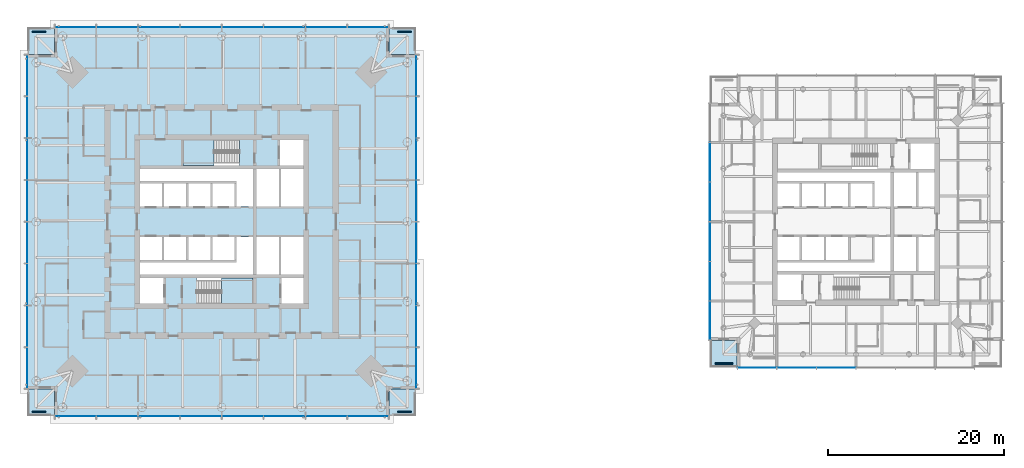
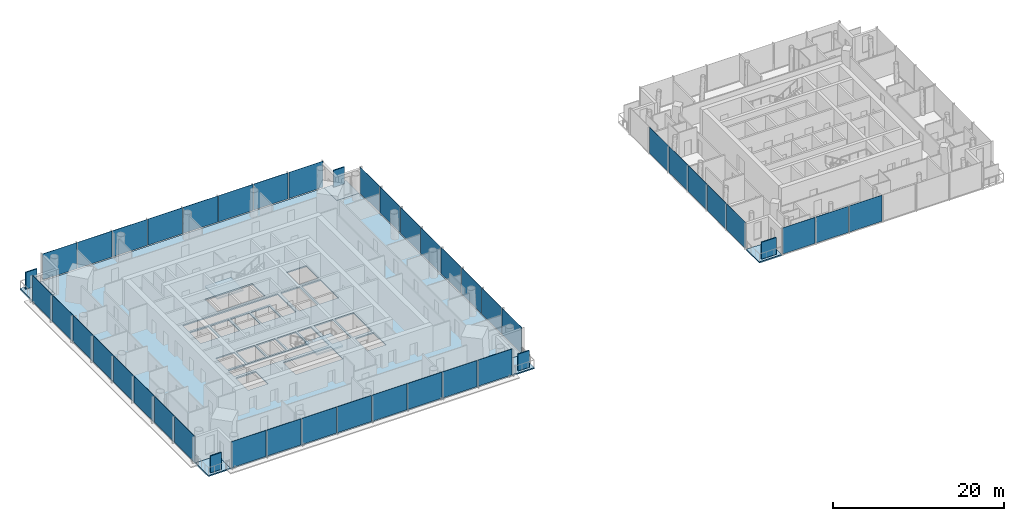
# One storey, part 6 of 27: 45 plates, 8 slabs, 8 elements without a shape of their own.
"""IFC4 building model written with IfcOpenShell, lengths in metres."""

from ifc_helpers import new_model, si_unit, direction, frame, origin, origin_2d, place, context, subcontext, project, spatial, polyline, rectangle, outline, extrude, material, layer, layer_set, type_object, element, aggregate, save


model = new_model("IFC4")

# Units and contexts
model_context = context("Model", 3, precision=1e-05, world=origin(), true_north=direction((0.0, 1.0)))
body_context = subcontext(model_context, "Body", "Model", "MODEL_VIEW")
ifc_project = project(units=[si_unit("LENGTHUNIT", "METRE"), si_unit("AREAUNIT", "SQUARE_METRE"), si_unit("VOLUMEUNIT", "CUBIC_METRE"), si_unit("PLANEANGLEUNIT", "RADIAN"), si_unit("MASSUNIT", "GRAM", prefix="KILO")], contexts=[model_context])

# Site, building, storey
site_placement = place(None, origin())
site = spatial("IfcSite", under=ifc_project, at=site_placement, CompositionType="ELEMENT")
building_placement = place(site_placement, origin())
building = spatial("IfcBuilding", under=site, at=building_placement, Name="Ostroluk Exchange", CompositionType="ELEMENT")
storey_placement = place(building_placement, frame((0.0, 0.0, 112.199951171875)))
storey = spatial("IfcBuildingStorey", under=building, at=storey_placement, Name="L28", CompositionType="ELEMENT", Elevation=112.199951171875)

# Curtain wall, plates
ifc_material_1 = material(Name="Laminated clear glass", Category="glass")
curtain_wall_type_1 = type_object("IfcCurtainWallType", Name="Hotel guest floor facade", PredefinedType="USERDEFINED", material=ifc_material_1)
curtain_wall_1_placement = place(storey_placement, origin())
curtain_wall_1 = element("IfcCurtainWall", 1, at=curtain_wall_1_placement, inside=storey, type_object=curtain_wall_type_1, Name="Hotel tower south facade L28", ObjectType="UNITISED CURTAIN WALL", PredefinedType="USERDEFINED")
ifc_material_2 = material(Name="Laminated clear glass", Category="glass")
ifc_layer_1 = layer(ifc_material_2, 0.0400390625)
ifc_layer_set_1 = layer_set([ifc_layer_1], Name="Acoustic laminated glazing 40")
plate_type_1 = type_object("IfcPlateType", Name="Acoustic laminated glazing 40", PredefinedType="CURTAIN_PANEL", material=ifc_layer_set_1)
plate_1_placement = place(storey_placement, frame((105.77001953125, 29.425048828125, 0.080078125), z_axis=(0.0, 0.0, 1.0), x_axis=(1.0, 0.0, 0.0)))
plate_1 = element("IfcPlate", 2, at=plate_1_placement, type_object=plate_type_1, Name="CW-H1 panel 1.1", PredefinedType="CURTAIN_PANEL", context=body_context, shape_type="SweptSolid", body=[
    extrude(rectangle(XDim=4.3798828125, YDim=0.0400390625, at=origin_2d()), origin(), (0.0, 0.0, 1.0), 3.719970703125),
])
plate_2_placement = place(storey_placement, frame((110.25, 29.425048828125, 0.080078125), z_axis=(0.0, 0.0, 1.0), x_axis=(1.0, 0.0, 0.0)))
plate_2 = element("IfcPlate", 3, at=plate_2_placement, type_object=plate_type_1, Name="CW-H1 panel 2.1", PredefinedType="CURTAIN_PANEL", context=body_context, shape_type="SweptSolid", body=[
    extrude(rectangle(XDim=4.419921875, YDim=0.0400390625, at=origin_2d()), origin(), (0.0, 0.0, 1.0), 3.719970703125),
])
plate_3_placement = place(storey_placement, frame((114.75, 29.425048828125, 0.080078125), z_axis=(0.0, 0.0, 1.0), x_axis=(1.0, 0.0, 0.0)))
plate_3 = element("IfcPlate", 4, at=plate_3_placement, type_object=plate_type_1, Name="CW-H1 panel 3.1", PredefinedType="CURTAIN_PANEL", context=body_context, shape_type="SweptSolid", body=[
    extrude(rectangle(XDim=4.419921875, YDim=0.0400390625, at=origin_2d()), origin(), (0.0, 0.0, 1.0), 3.719970703125),
])
aggregate(curtain_wall_1, [plate_1, plate_2, plate_3])

curtain_wall_2_placement = place(storey_placement, origin())
curtain_wall_2 = element("IfcCurtainWall", 5, at=curtain_wall_2_placement, inside=storey, type_object=curtain_wall_type_1, Name="Hotel tower west facade L28", ObjectType="UNITISED CURTAIN WALL", PredefinedType="USERDEFINED")
plate_4_placement = place(storey_placement, frame((100.425048828125, 52.75, 0.080078125), z_axis=(0.0, 0.0, 1.0), x_axis=(0.0, -1.0, 0.0)))
plate_4 = element("IfcPlate", 6, at=plate_4_placement, type_object=plate_type_1, Name="CW-H1 panel 2.1", PredefinedType="CURTAIN_PANEL", context=body_context, shape_type="SweptSolid", body=[
    extrude(rectangle(XDim=4.419921875, YDim=0.0400390625, at=origin_2d()), origin(), (0.0, 0.0, 1.0), 3.719970703125),
])
plate_5_placement = place(storey_placement, frame((100.425048828125, 48.25, 0.080078125), z_axis=(0.0, 0.0, 1.0), x_axis=(0.0, -1.0, 0.0)))
plate_5 = element("IfcPlate", 7, at=plate_5_placement, type_object=plate_type_1, Name="CW-H1 panel 3.1", PredefinedType="CURTAIN_PANEL", context=body_context, shape_type="SweptSolid", body=[
    extrude(rectangle(XDim=4.419921875, YDim=0.0400390625, at=origin_2d()), origin(), (0.0, 0.0, 1.0), 3.719970703125),
])
plate_6_placement = place(storey_placement, frame((100.425048828125, 43.75, 0.080078125), z_axis=(0.0, 0.0, 1.0), x_axis=(0.0, -1.0, 0.0)))
plate_6 = element("IfcPlate", 8, at=plate_6_placement, type_object=plate_type_1, Name="CW-H1 panel 4.1", PredefinedType="CURTAIN_PANEL", context=body_context, shape_type="SweptSolid", body=[
    extrude(rectangle(XDim=4.419921875, YDim=0.0400390625, at=origin_2d()), origin(), (0.0, 0.0, 1.0), 3.719970703125),
])
plate_7_placement = place(storey_placement, frame((100.425048828125, 39.25, 0.080078125), z_axis=(0.0, 0.0, 1.0), x_axis=(0.0, -1.0, 0.0)))
plate_7 = element("IfcPlate", 9, at=plate_7_placement, type_object=plate_type_1, Name="CW-H1 panel 5.1", PredefinedType="CURTAIN_PANEL", context=body_context, shape_type="SweptSolid", body=[
    extrude(rectangle(XDim=4.419921875, YDim=0.0400390625, at=origin_2d()), origin(), (0.0, 0.0, 1.0), 3.719970703125),
])
plate_8_placement = place(storey_placement, frame((100.425048828125, 34.77001953125, 0.080078125), z_axis=(0.0, 0.0, 1.0), x_axis=(0.0, -1.0, 0.0)))
plate_8 = element("IfcPlate", 10, at=plate_8_placement, type_object=plate_type_1, Name="CW-H1 panel 6.1", PredefinedType="CURTAIN_PANEL", context=body_context, shape_type="SweptSolid", body=[
    extrude(rectangle(XDim=4.3798828125, YDim=0.0400390625, at=origin_2d()), origin(), (0.0, 0.0, 1.0), 3.719970703125),
])
aggregate(curtain_wall_2, [plate_4, plate_5, plate_6, plate_7, plate_8])

# Slabs
ifc_material_3 = material(Name="Concrete C35/45", Category="concrete")
ifc_layer_2 = layer(ifc_material_3, 0.179931640625)
ifc_layer_set_2 = layer_set([ifc_layer_2], Name="Balcony slab 180")
slab_type_1 = type_object("IfcSlabType", Name="Balcony slab 180", PredefinedType="USERDEFINED", material=ifc_layer_set_2)
slab_1_placement = place(storey_placement, frame((0.0, 0.0, -0.179931640625)))
element("IfcSlab", 11, at=slab_1_placement, inside=storey, type_object=slab_type_1, Name="Office tower SE corner balcony L28", ObjectType="BALCONY", PredefinedType="USERDEFINED", context=body_context, shape_type="SweptSolid", body=[
    extrude(outline(polyline([(64.0, 24.0), (67.0, 24.0), (67.0, 27.0), (64.0, 27.0), (64.0, 24.0)])), origin(), (0.0, 0.0, 1.0), 0.179931640625),
])
slab_2_placement = place(storey_placement, frame((0.0, 0.0, -0.179931640625)))
element("IfcSlab", 12, at=slab_2_placement, inside=storey, type_object=slab_type_1, Name="Office tower NE corner balcony L28", ObjectType="BALCONY", PredefinedType="USERDEFINED", context=body_context, shape_type="SweptSolid", body=[
    extrude(outline(polyline([(64.0, 65.0), (67.0, 65.0), (67.0, 68.0), (64.0, 68.0), (64.0, 65.0)])), origin(), (0.0, 0.0, 1.0), 0.179931640625),
])
slab_3_placement = place(storey_placement, frame((0.0, 0.0, -0.179931640625)))
element("IfcSlab", 13, at=slab_3_placement, inside=storey, type_object=slab_type_1, Name="Office tower NW corner balcony L28", ObjectType="BALCONY", PredefinedType="USERDEFINED", context=body_context, shape_type="SweptSolid", body=[
    extrude(outline(polyline([(23.0, 65.0), (26.0, 65.0), (26.0, 68.0), (23.0, 68.0), (23.0, 65.0)])), origin(), (0.0, 0.0, 1.0), 0.179931640625),
])
slab_4_placement = place(storey_placement, frame((0.0, 0.0, -0.179931640625)))
element("IfcSlab", 14, at=slab_4_placement, inside=storey, type_object=slab_type_1, Name="Office tower SW corner balcony L28", ObjectType="BALCONY", PredefinedType="USERDEFINED", context=body_context, shape_type="SweptSolid", body=[
    extrude(outline(polyline([(23.0, 24.0), (26.0, 24.0), (26.0, 27.0), (23.0, 27.0), (23.0, 24.0)])), origin(), (0.0, 0.0, 1.0), 0.179931640625),
])
ifc_material_4 = material(Name="Concrete C35/45", Category="concrete")
ifc_layer_3 = layer(ifc_material_4, 0.199951171875)
ifc_layer_set_3 = layer_set([ifc_layer_3], Name="Balcony slab 200")
slab_type_2 = type_object("IfcSlabType", Name="Balcony slab 200", PredefinedType="USERDEFINED", material=ifc_layer_set_3)
slab_5_placement = place(storey_placement, frame((0.0, 0.0, -0.199951171875)))
element("IfcSlab", 15, at=slab_5_placement, inside=storey, type_object=slab_type_2, Name="Hotel tower SW corner balcony L28", ObjectType="BALCONY", PredefinedType="USERDEFINED", context=body_context, shape_type="SweptSolid", body=[
    extrude(outline(polyline([(100.5, 29.5), (103.5, 29.5), (103.5, 32.5), (100.5, 32.5), (100.5, 29.5)])), origin(), (0.0, 0.0, 1.0), 0.199951171875),
])

# Plates
ifc_material_5 = material(Name="Steel S355 trellis with planting", Category="steel")
ifc_layer_4 = layer(ifc_material_5, 0.14990234375)
ifc_layer_set_4 = layer_set([ifc_layer_4], Name="Planted screen 150")
plate_type_2 = type_object("IfcPlateType", Name="Planted screen 150", PredefinedType="USERDEFINED", material=ifc_layer_set_4)
for number, where, z_axis, x_axis, name in (
    (16, (65.75, 24.425048828125, 0.0), (0.0, 0.0, 1.0), (1.0, 0.0, 0.0), "Office tower SE planted screen L28"),
    (17, (65.75, 67.574951171875, 0.0), (0.0, 0.0, 1.0), (1.0, 0.0, 0.0), "Office tower NE planted screen L28"),
    (18, (24.25, 67.574951171875, 0.0), (0.0, 0.0, 1.0), (1.0, 0.0, 0.0), "Office tower NW planted screen L28"),
    (19, (24.25, 24.425048828125, 0.0), (0.0, 0.0, 1.0), (1.0, 0.0, 0.0), "Office tower SW planted screen L28"),
):
    element("IfcPlate", number, at=place(storey_placement, frame(where, z_axis=z_axis, x_axis=x_axis)), inside=storey, type_object=plate_type_2, Name=name, ObjectType="PLANTED SCREEN", PredefinedType="USERDEFINED", context=body_context, shape_type="SweptSolid", body=[
        extrude(rectangle(XDim=1.5, YDim=0.14990234375, at=origin_2d()), origin(), (0.0, 0.0, 1.0), 2.39990234375),
    ])
plate_9_placement = place(storey_placement, frame((102.0, 29.925048828125, 0.0), z_axis=(0.0, 0.0, 1.0), x_axis=(1.0, 0.0, 0.0)))
element("IfcPlate", 20, at=plate_9_placement, inside=storey, type_object=plate_type_2, Name="Hotel tower SW planted screen L28", ObjectType="PLANTED SCREEN", PredefinedType="USERDEFINED", context=body_context, shape_type="SweptSolid", body=[
    extrude(rectangle(XDim=2.0, YDim=0.14990234375, at=origin_2d()), origin(), (0.0, 0.0, 1.0), 2.39990234375),
])

# Stair, slab
ifc_material_6 = material(Name="Concrete C30/37", Category="concrete")
stair_type = type_object("IfcStairType", Name="Exit stair half turn 3800", PredefinedType="HALF_TURN_STAIR", material=ifc_material_6)
stair_1_placement = place(storey_placement, origin())
stair_1 = element("IfcStair", 21, at=stair_1_placement, inside=storey, type_object=stair_type, Name="Stair T1-S1 L28", PredefinedType="HALF_TURN_STAIR")
ifc_material_7 = material(Name="Concrete C30/37", Category="concrete")
ifc_layer_5 = layer(ifc_material_7, 0.199951171875)
ifc_layer_set_5 = layer_set([ifc_layer_5], Name="Stair landing 200")
slab_type_3 = type_object("IfcSlabType", Name="Stair landing 200", PredefinedType="LANDING", material=ifc_layer_set_5)
slab_6_placement = place(storey_placement, frame((0.0, 0.0, 1.699951171875)))
slab_6 = element("IfcSlab", 22, at=slab_6_placement, type_object=slab_type_3, Name="T1-S1 landing 1", PredefinedType="LANDING", context=body_context, shape_type="SweptSolid", body=[
    extrude(outline(polyline([(45.0, 36.699951171875), (45.0, 39.60009765625), (48.530029296875, 39.60009765625), (48.530029296875, 36.699951171875), (45.0, 36.699951171875)])), origin(), (0.0, 0.0, 1.0), 0.2001953125),
])
aggregate(stair_1, [slab_6])

stair_2_placement = place(storey_placement, origin())
stair_2 = element("IfcStair", 23, at=stair_2_placement, inside=storey, type_object=stair_type, Name="Stair T1-S2 L28", PredefinedType="HALF_TURN_STAIR")
slab_7_placement = place(storey_placement, frame((0.0, 0.0, 1.699951171875)))
slab_7 = element("IfcSlab", 24, at=slab_7_placement, type_object=slab_type_3, Name="T1-S2 landing 1", PredefinedType="LANDING", context=body_context, shape_type="SweptSolid", body=[
    extrude(outline(polyline([(44.1298828125, 52.39990234375), (44.1298828125, 55.300048828125), (40.60009765625, 55.300048828125), (40.60009765625, 52.39990234375), (44.1298828125, 52.39990234375)])), origin(), (0.0, 0.0, 1.0), 0.2001953125),
])
aggregate(stair_2, [slab_7])

# Slab
ifc_material_8 = material(Name="Concrete C35/45", Category="concrete")
ifc_layer_6 = layer(ifc_material_8, 0.179931640625)
ifc_layer_set_6 = layer_set([ifc_layer_6], Name="Tower floor slab 180 composite")
slab_type_4 = type_object("IfcSlabType", Name="Tower floor slab 180 composite", PredefinedType="FLOOR", material=ifc_layer_set_6)
slab_8_placement = place(storey_placement, frame((0.0, 0.0, -0.179931640625)))
element("IfcSlab", 25, at=slab_8_placement, inside=storey, type_object=slab_type_4, Name="Office tower floor slab L28", PredefinedType="FLOOR", context=body_context, shape_type="SweptSolid", body=[
    extrude(outline(polyline([(26.0, 24.0), (64.0, 24.0), (64.0, 27.0), (67.0, 27.0), (67.0, 65.0), (64.0, 65.0), (64.0, 68.0), (26.0, 68.0), (26.0, 65.0), (23.0, 65.0), (23.0, 27.0), (26.0, 27.0), (26.0, 24.0)]), holes=[polyline([(35.699951171875, 36.699951171875), (38.39990234375, 36.699951171875), (38.39990234375, 39.60009765625), (35.699951171875, 39.60009765625), (35.699951171875, 36.699951171875)]), polyline([(42.110107421875, 36.699951171875), (48.530029296875, 36.699951171875), (48.530029296875, 39.60009765625), (42.110107421875, 39.60009765625), (42.110107421875, 36.699951171875)]), polyline([(51.800048828125, 36.699951171875), (54.300048828125, 36.699951171875), (54.300048828125, 39.60009765625), (51.800048828125, 39.60009765625), (51.800048828125, 36.699951171875)]), polyline([(40.60009765625, 52.39990234375), (47.02001953125, 52.39990234375), (47.02001953125, 55.300048828125), (40.60009765625, 55.300048828125), (40.60009765625, 52.39990234375)]), polyline([(51.60009765625, 52.39990234375), (54.300048828125, 52.39990234375), (54.300048828125, 55.300048828125), (51.60009765625, 55.300048828125), (51.60009765625, 52.39990234375)]), polyline([(35.699951171875, 47.75), (38.199951171875, 47.75), (38.199951171875, 50.35009765625), (35.699951171875, 50.35009765625), (35.699951171875, 47.75)]), polyline([(38.449951171875, 47.75), (40.949951171875, 47.75), (40.949951171875, 50.35009765625), (38.449951171875, 50.35009765625), (38.449951171875, 47.75)]), polyline([(41.199951171875, 47.75), (43.699951171875, 47.75), (43.699951171875, 50.35009765625), (41.199951171875, 50.35009765625), (41.199951171875, 47.75)]), polyline([(43.949951171875, 47.75), (46.449951171875, 47.75), (46.449951171875, 50.35009765625), (43.949951171875, 50.35009765625), (43.949951171875, 47.75)]), polyline([(35.699951171875, 41.64990234375), (38.199951171875, 41.64990234375), (38.199951171875, 44.25), (35.699951171875, 44.25), (35.699951171875, 41.64990234375)]), polyline([(38.449951171875, 41.64990234375), (40.949951171875, 41.64990234375), (40.949951171875, 44.25), (38.449951171875, 44.25), (38.449951171875, 41.64990234375)]), polyline([(41.199951171875, 41.64990234375), (43.699951171875, 41.64990234375), (43.699951171875, 44.25), (41.199951171875, 44.25), (41.199951171875, 41.64990234375)]), polyline([(43.949951171875, 41.64990234375), (46.449951171875, 41.64990234375), (46.449951171875, 44.25), (43.949951171875, 44.25), (43.949951171875, 41.64990234375)]), polyline([(48.929931640625, 47.75), (51.489990234375, 47.75), (51.489990234375, 52.0), (48.929931640625, 52.0), (48.929931640625, 47.75)]), polyline([(51.739990234375, 47.75), (54.300048828125, 47.75), (54.300048828125, 52.0), (51.739990234375, 52.0), (51.739990234375, 47.75)]), polyline([(48.929931640625, 40.0), (51.489990234375, 40.0), (51.489990234375, 44.25), (48.929931640625, 44.25), (48.929931640625, 40.0)]), polyline([(51.739990234375, 40.0), (54.300048828125, 40.0), (54.300048828125, 44.25), (51.739990234375, 44.25), (51.739990234375, 40.0)]), polyline([(48.530029296875, 52.0), (48.530029296875, 47.75), (46.699951171875, 47.75), (46.699951171875, 50.60009765625), (35.699951171875, 50.60009765625), (35.699951171875, 52.0), (48.530029296875, 52.0)]), polyline([(35.699951171875, 40.0), (35.699951171875, 41.39990234375), (46.699951171875, 41.39990234375), (46.699951171875, 44.25), (48.530029296875, 44.25), (48.530029296875, 40.0), (35.699951171875, 40.0)])]), origin(), (0.0, 0.0, 1.0), 0.179931640625),
])

# Curtain wall, plates
ifc_material_9 = material(Name="Laminated clear glass", Category="glass")
curtain_wall_type_2 = type_object("IfcCurtainWallType", Name="Office tower facade", PredefinedType="USERDEFINED", material=ifc_material_9)
curtain_wall_3_placement = place(storey_placement, origin())
curtain_wall_3 = element("IfcCurtainWall", 26, at=curtain_wall_3_placement, inside=storey, type_object=curtain_wall_type_2, Name="Office tower south facade L28", ObjectType="UNITISED CURTAIN WALL", PredefinedType="USERDEFINED")
ifc_material_10 = material(Name="Laminated clear glass", Category="glass")
ifc_layer_7 = layer(ifc_material_10, 0.0439453125)
ifc_layer_set_7 = layer_set([ifc_layer_7], Name="Triple laminated clear glazing 44")
plate_type_3 = type_object("IfcPlateType", Name="Triple laminated clear glazing 44", PredefinedType="CURTAIN_PANEL", material=ifc_layer_set_7)
plate_10_placement = place(storey_placement, frame((28.39501953125, 23.925048828125, 0.080078125), z_axis=(0.0, 0.0, 1.0), x_axis=(1.0, 0.0, 0.0)))
plate_10 = element("IfcPlate", 27, at=plate_10_placement, type_object=plate_type_3, Name="CW-O1 panel 1.1", PredefinedType="CURTAIN_PANEL", context=body_context, shape_type="SweptSolid", body=[
    extrude(rectangle(XDim=4.6298828125, YDim=0.0439453125, at=origin_2d()), origin(), (0.0, 0.0, 1.0), 3.719970703125),
])
plate_11_placement = place(storey_placement, frame((33.125, 23.925048828125, 0.080078125), z_axis=(0.0, 0.0, 1.0), x_axis=(1.0, 0.0, 0.0)))
plate_11 = element("IfcPlate", 28, at=plate_11_placement, type_object=plate_type_3, Name="CW-O1 panel 2.1", PredefinedType="CURTAIN_PANEL", context=body_context, shape_type="SweptSolid", body=[
    extrude(rectangle(XDim=4.669921875, YDim=0.0439453125, at=origin_2d()), origin(), (0.0, 0.0, 1.0), 3.719970703125),
])
plate_12_placement = place(storey_placement, frame((37.875, 23.925048828125, 0.080078125), z_axis=(0.0, 0.0, 1.0), x_axis=(1.0, 0.0, 0.0)))
plate_12 = element("IfcPlate", 29, at=plate_12_placement, type_object=plate_type_3, Name="CW-O1 panel 3.1", PredefinedType="CURTAIN_PANEL", context=body_context, shape_type="SweptSolid", body=[
    extrude(rectangle(XDim=4.669921875, YDim=0.0439453125, at=origin_2d()), origin(), (0.0, 0.0, 1.0), 3.719970703125),
])
plate_13_placement = place(storey_placement, frame((42.625, 23.925048828125, 0.080078125), z_axis=(0.0, 0.0, 1.0), x_axis=(1.0, 0.0, 0.0)))
plate_13 = element("IfcPlate", 30, at=plate_13_placement, type_object=plate_type_3, Name="CW-O1 panel 4.1", PredefinedType="CURTAIN_PANEL", context=body_context, shape_type="SweptSolid", body=[
    extrude(rectangle(XDim=4.669921875, YDim=0.0439453125, at=origin_2d()), origin(), (0.0, 0.0, 1.0), 3.719970703125),
])
plate_14_placement = place(storey_placement, frame((47.375, 23.925048828125, 0.080078125), z_axis=(0.0, 0.0, 1.0), x_axis=(1.0, 0.0, 0.0)))
plate_14 = element("IfcPlate", 31, at=plate_14_placement, type_object=plate_type_3, Name="CW-O1 panel 5.1", PredefinedType="CURTAIN_PANEL", context=body_context, shape_type="SweptSolid", body=[
    extrude(rectangle(XDim=4.669921875, YDim=0.0439453125, at=origin_2d()), origin(), (0.0, 0.0, 1.0), 3.719970703125),
])
plate_15_placement = place(storey_placement, frame((52.125, 23.925048828125, 0.080078125), z_axis=(0.0, 0.0, 1.0), x_axis=(1.0, 0.0, 0.0)))
plate_15 = element("IfcPlate", 32, at=plate_15_placement, type_object=plate_type_3, Name="CW-O1 panel 6.1", PredefinedType="CURTAIN_PANEL", context=body_context, shape_type="SweptSolid", body=[
    extrude(rectangle(XDim=4.669921875, YDim=0.0439453125, at=origin_2d()), origin(), (0.0, 0.0, 1.0), 3.719970703125),
])
plate_16_placement = place(storey_placement, frame((56.875, 23.925048828125, 0.080078125), z_axis=(0.0, 0.0, 1.0), x_axis=(1.0, 0.0, 0.0)))
plate_16 = element("IfcPlate", 33, at=plate_16_placement, type_object=plate_type_3, Name="CW-O1 panel 7.1", PredefinedType="CURTAIN_PANEL", context=body_context, shape_type="SweptSolid", body=[
    extrude(rectangle(XDim=4.669921875, YDim=0.0439453125, at=origin_2d()), origin(), (0.0, 0.0, 1.0), 3.719970703125),
])
plate_17_placement = place(storey_placement, frame((61.60498046875, 23.925048828125, 0.080078125), z_axis=(0.0, 0.0, 1.0), x_axis=(1.0, 0.0, 0.0)))
plate_17 = element("IfcPlate", 34, at=plate_17_placement, type_object=plate_type_3, Name="CW-O1 panel 8.1", PredefinedType="CURTAIN_PANEL", context=body_context, shape_type="SweptSolid", body=[
    extrude(rectangle(XDim=4.6298828125, YDim=0.0439453125, at=origin_2d()), origin(), (0.0, 0.0, 1.0), 3.719970703125),
])
aggregate(curtain_wall_3, [plate_10, plate_11, plate_12, plate_13, plate_14, plate_15, plate_16, plate_17])

curtain_wall_4_placement = place(storey_placement, origin())
curtain_wall_4 = element("IfcCurtainWall", 35, at=curtain_wall_4_placement, inside=storey, type_object=curtain_wall_type_2, Name="Office tower east facade L28", ObjectType="UNITISED CURTAIN WALL", PredefinedType="USERDEFINED")
plate_18_placement = place(storey_placement, frame((67.074951171875, 29.39501953125, 0.080078125), z_axis=(0.0, 0.0, 1.0), x_axis=(0.0, 1.0, 0.0)))
plate_18 = element("IfcPlate", 36, at=plate_18_placement, type_object=plate_type_3, Name="CW-O1 panel 1.1", PredefinedType="CURTAIN_PANEL", context=body_context, shape_type="SweptSolid", body=[
    extrude(rectangle(XDim=4.6298828125, YDim=0.0439453125, at=origin_2d()), origin(), (0.0, 0.0, 1.0), 3.719970703125),
])
plate_19_placement = place(storey_placement, frame((67.074951171875, 34.125, 0.080078125), z_axis=(0.0, 0.0, 1.0), x_axis=(0.0, 1.0, 0.0)))
plate_19 = element("IfcPlate", 37, at=plate_19_placement, type_object=plate_type_3, Name="CW-O1 panel 2.1", PredefinedType="CURTAIN_PANEL", context=body_context, shape_type="SweptSolid", body=[
    extrude(rectangle(XDim=4.669921875, YDim=0.0439453125, at=origin_2d()), origin(), (0.0, 0.0, 1.0), 3.719970703125),
])
plate_20_placement = place(storey_placement, frame((67.074951171875, 38.875, 0.080078125), z_axis=(0.0, 0.0, 1.0), x_axis=(0.0, 1.0, 0.0)))
plate_20 = element("IfcPlate", 38, at=plate_20_placement, type_object=plate_type_3, Name="CW-O1 panel 3.1", PredefinedType="CURTAIN_PANEL", context=body_context, shape_type="SweptSolid", body=[
    extrude(rectangle(XDim=4.669921875, YDim=0.0439453125, at=origin_2d()), origin(), (0.0, 0.0, 1.0), 3.719970703125),
])
plate_21_placement = place(storey_placement, frame((67.074951171875, 43.625, 0.080078125), z_axis=(0.0, 0.0, 1.0), x_axis=(0.0, 1.0, 0.0)))
plate_21 = element("IfcPlate", 39, at=plate_21_placement, type_object=plate_type_3, Name="CW-O1 panel 4.1", PredefinedType="CURTAIN_PANEL", context=body_context, shape_type="SweptSolid", body=[
    extrude(rectangle(XDim=4.669921875, YDim=0.0439453125, at=origin_2d()), origin(), (0.0, 0.0, 1.0), 3.719970703125),
])
plate_22_placement = place(storey_placement, frame((67.074951171875, 48.375, 0.080078125), z_axis=(0.0, 0.0, 1.0), x_axis=(0.0, 1.0, 0.0)))
plate_22 = element("IfcPlate", 40, at=plate_22_placement, type_object=plate_type_3, Name="CW-O1 panel 5.1", PredefinedType="CURTAIN_PANEL", context=body_context, shape_type="SweptSolid", body=[
    extrude(rectangle(XDim=4.669921875, YDim=0.0439453125, at=origin_2d()), origin(), (0.0, 0.0, 1.0), 3.719970703125),
])
plate_23_placement = place(storey_placement, frame((67.074951171875, 53.125, 0.080078125), z_axis=(0.0, 0.0, 1.0), x_axis=(0.0, 1.0, 0.0)))
plate_23 = element("IfcPlate", 41, at=plate_23_placement, type_object=plate_type_3, Name="CW-O1 panel 6.1", PredefinedType="CURTAIN_PANEL", context=body_context, shape_type="SweptSolid", body=[
    extrude(rectangle(XDim=4.669921875, YDim=0.0439453125, at=origin_2d()), origin(), (0.0, 0.0, 1.0), 3.719970703125),
])
plate_24_placement = place(storey_placement, frame((67.074951171875, 57.875, 0.080078125), z_axis=(0.0, 0.0, 1.0), x_axis=(0.0, 1.0, 0.0)))
plate_24 = element("IfcPlate", 42, at=plate_24_placement, type_object=plate_type_3, Name="CW-O1 panel 7.1", PredefinedType="CURTAIN_PANEL", context=body_context, shape_type="SweptSolid", body=[
    extrude(rectangle(XDim=4.669921875, YDim=0.0439453125, at=origin_2d()), origin(), (0.0, 0.0, 1.0), 3.719970703125),
])
plate_25_placement = place(storey_placement, frame((67.074951171875, 62.60498046875, 0.080078125), z_axis=(0.0, 0.0, 1.0), x_axis=(0.0, 1.0, 0.0)))
plate_25 = element("IfcPlate", 43, at=plate_25_placement, type_object=plate_type_3, Name="CW-O1 panel 8.1", PredefinedType="CURTAIN_PANEL", context=body_context, shape_type="SweptSolid", body=[
    extrude(rectangle(XDim=4.6298828125, YDim=0.0439453125, at=origin_2d()), origin(), (0.0, 0.0, 1.0), 3.719970703125),
])
aggregate(curtain_wall_4, [plate_18, plate_19, plate_20, plate_21, plate_22, plate_23, plate_24, plate_25])

curtain_wall_5_placement = place(storey_placement, origin())
curtain_wall_5 = element("IfcCurtainWall", 44, at=curtain_wall_5_placement, inside=storey, type_object=curtain_wall_type_2, Name="Office tower north facade L28", ObjectType="UNITISED CURTAIN WALL", PredefinedType="USERDEFINED")
plate_26_placement = place(storey_placement, frame((61.60498046875, 68.074951171875, 0.080078125), z_axis=(0.0, 0.0, 1.0), x_axis=(-1.0, 0.0, 0.0)))
plate_26 = element("IfcPlate", 45, at=plate_26_placement, type_object=plate_type_3, Name="CW-O1 panel 1.1", PredefinedType="CURTAIN_PANEL", context=body_context, shape_type="SweptSolid", body=[
    extrude(rectangle(XDim=4.6298828125, YDim=0.0439453125, at=origin_2d()), origin(), (0.0, 0.0, 1.0), 3.719970703125),
])
plate_27_placement = place(storey_placement, frame((56.875, 68.074951171875, 0.080078125), z_axis=(0.0, 0.0, 1.0), x_axis=(-1.0, 0.0, 0.0)))
plate_27 = element("IfcPlate", 46, at=plate_27_placement, type_object=plate_type_3, Name="CW-O1 panel 2.1", PredefinedType="CURTAIN_PANEL", context=body_context, shape_type="SweptSolid", body=[
    extrude(rectangle(XDim=4.669921875, YDim=0.0439453125, at=origin_2d()), origin(), (0.0, 0.0, 1.0), 3.719970703125),
])
plate_28_placement = place(storey_placement, frame((52.125, 68.074951171875, 0.080078125), z_axis=(0.0, 0.0, 1.0), x_axis=(-1.0, 0.0, 0.0)))
plate_28 = element("IfcPlate", 47, at=plate_28_placement, type_object=plate_type_3, Name="CW-O1 panel 3.1", PredefinedType="CURTAIN_PANEL", context=body_context, shape_type="SweptSolid", body=[
    extrude(rectangle(XDim=4.669921875, YDim=0.0439453125, at=origin_2d()), origin(), (0.0, 0.0, 1.0), 3.719970703125),
])
plate_29_placement = place(storey_placement, frame((47.375, 68.074951171875, 0.080078125), z_axis=(0.0, 0.0, 1.0), x_axis=(-1.0, 0.0, 0.0)))
plate_29 = element("IfcPlate", 48, at=plate_29_placement, type_object=plate_type_3, Name="CW-O1 panel 4.1", PredefinedType="CURTAIN_PANEL", context=body_context, shape_type="SweptSolid", body=[
    extrude(rectangle(XDim=4.669921875, YDim=0.0439453125, at=origin_2d()), origin(), (0.0, 0.0, 1.0), 3.719970703125),
])
plate_30_placement = place(storey_placement, frame((42.625, 68.074951171875, 0.080078125), z_axis=(0.0, 0.0, 1.0), x_axis=(-1.0, 0.0, 0.0)))
plate_30 = element("IfcPlate", 49, at=plate_30_placement, type_object=plate_type_3, Name="CW-O1 panel 5.1", PredefinedType="CURTAIN_PANEL", context=body_context, shape_type="SweptSolid", body=[
    extrude(rectangle(XDim=4.669921875, YDim=0.0439453125, at=origin_2d()), origin(), (0.0, 0.0, 1.0), 3.719970703125),
])
plate_31_placement = place(storey_placement, frame((37.875, 68.074951171875, 0.080078125), z_axis=(0.0, 0.0, 1.0), x_axis=(-1.0, 0.0, 0.0)))
plate_31 = element("IfcPlate", 50, at=plate_31_placement, type_object=plate_type_3, Name="CW-O1 panel 6.1", PredefinedType="CURTAIN_PANEL", context=body_context, shape_type="SweptSolid", body=[
    extrude(rectangle(XDim=4.669921875, YDim=0.0439453125, at=origin_2d()), origin(), (0.0, 0.0, 1.0), 3.719970703125),
])
plate_32_placement = place(storey_placement, frame((33.125, 68.074951171875, 0.080078125), z_axis=(0.0, 0.0, 1.0), x_axis=(-1.0, 0.0, 0.0)))
plate_32 = element("IfcPlate", 51, at=plate_32_placement, type_object=plate_type_3, Name="CW-O1 panel 7.1", PredefinedType="CURTAIN_PANEL", context=body_context, shape_type="SweptSolid", body=[
    extrude(rectangle(XDim=4.669921875, YDim=0.0439453125, at=origin_2d()), origin(), (0.0, 0.0, 1.0), 3.719970703125),
])
plate_33_placement = place(storey_placement, frame((28.39501953125, 68.074951171875, 0.080078125), z_axis=(0.0, 0.0, 1.0), x_axis=(-1.0, 0.0, 0.0)))
plate_33 = element("IfcPlate", 52, at=plate_33_placement, type_object=plate_type_3, Name="CW-O1 panel 8.1", PredefinedType="CURTAIN_PANEL", context=body_context, shape_type="SweptSolid", body=[
    extrude(rectangle(XDim=4.6298828125, YDim=0.0439453125, at=origin_2d()), origin(), (0.0, 0.0, 1.0), 3.719970703125),
])
aggregate(curtain_wall_5, [plate_26, plate_27, plate_28, plate_29, plate_30, plate_31, plate_32, plate_33])

curtain_wall_6_placement = place(storey_placement, origin())
curtain_wall_6 = element("IfcCurtainWall", 53, at=curtain_wall_6_placement, inside=storey, type_object=curtain_wall_type_2, Name="Office tower west facade L28", ObjectType="UNITISED CURTAIN WALL", PredefinedType="USERDEFINED")
plate_34_placement = place(storey_placement, frame((22.925048828125, 62.60498046875, 0.080078125), z_axis=(0.0, 0.0, 1.0), x_axis=(0.0, -1.0, 0.0)))
plate_34 = element("IfcPlate", 54, at=plate_34_placement, type_object=plate_type_3, Name="CW-O1 panel 1.1", PredefinedType="CURTAIN_PANEL", context=body_context, shape_type="SweptSolid", body=[
    extrude(rectangle(XDim=4.6298828125, YDim=0.0439453125, at=origin_2d()), origin(), (0.0, 0.0, 1.0), 3.719970703125),
])
plate_35_placement = place(storey_placement, frame((22.925048828125, 57.875, 0.080078125), z_axis=(0.0, 0.0, 1.0), x_axis=(0.0, -1.0, 0.0)))
plate_35 = element("IfcPlate", 55, at=plate_35_placement, type_object=plate_type_3, Name="CW-O1 panel 2.1", PredefinedType="CURTAIN_PANEL", context=body_context, shape_type="SweptSolid", body=[
    extrude(rectangle(XDim=4.669921875, YDim=0.0439453125, at=origin_2d()), origin(), (0.0, 0.0, 1.0), 3.719970703125),
])
plate_36_placement = place(storey_placement, frame((22.925048828125, 53.125, 0.080078125), z_axis=(0.0, 0.0, 1.0), x_axis=(0.0, -1.0, 0.0)))
plate_36 = element("IfcPlate", 56, at=plate_36_placement, type_object=plate_type_3, Name="CW-O1 panel 3.1", PredefinedType="CURTAIN_PANEL", context=body_context, shape_type="SweptSolid", body=[
    extrude(rectangle(XDim=4.669921875, YDim=0.0439453125, at=origin_2d()), origin(), (0.0, 0.0, 1.0), 3.719970703125),
])
plate_37_placement = place(storey_placement, frame((22.925048828125, 48.375, 0.080078125), z_axis=(0.0, 0.0, 1.0), x_axis=(0.0, -1.0, 0.0)))
plate_37 = element("IfcPlate", 57, at=plate_37_placement, type_object=plate_type_3, Name="CW-O1 panel 4.1", PredefinedType="CURTAIN_PANEL", context=body_context, shape_type="SweptSolid", body=[
    extrude(rectangle(XDim=4.669921875, YDim=0.0439453125, at=origin_2d()), origin(), (0.0, 0.0, 1.0), 3.719970703125),
])
plate_38_placement = place(storey_placement, frame((22.925048828125, 43.625, 0.080078125), z_axis=(0.0, 0.0, 1.0), x_axis=(0.0, -1.0, 0.0)))
plate_38 = element("IfcPlate", 58, at=plate_38_placement, type_object=plate_type_3, Name="CW-O1 panel 5.1", PredefinedType="CURTAIN_PANEL", context=body_context, shape_type="SweptSolid", body=[
    extrude(rectangle(XDim=4.669921875, YDim=0.0439453125, at=origin_2d()), origin(), (0.0, 0.0, 1.0), 3.719970703125),
])
plate_39_placement = place(storey_placement, frame((22.925048828125, 38.875, 0.080078125), z_axis=(0.0, 0.0, 1.0), x_axis=(0.0, -1.0, 0.0)))
plate_39 = element("IfcPlate", 59, at=plate_39_placement, type_object=plate_type_3, Name="CW-O1 panel 6.1", PredefinedType="CURTAIN_PANEL", context=body_context, shape_type="SweptSolid", body=[
    extrude(rectangle(XDim=4.669921875, YDim=0.0439453125, at=origin_2d()), origin(), (0.0, 0.0, 1.0), 3.719970703125),
])
plate_40_placement = place(storey_placement, frame((22.925048828125, 34.125, 0.080078125), z_axis=(0.0, 0.0, 1.0), x_axis=(0.0, -1.0, 0.0)))
plate_40 = element("IfcPlate", 60, at=plate_40_placement, type_object=plate_type_3, Name="CW-O1 panel 7.1", PredefinedType="CURTAIN_PANEL", context=body_context, shape_type="SweptSolid", body=[
    extrude(rectangle(XDim=4.669921875, YDim=0.0439453125, at=origin_2d()), origin(), (0.0, 0.0, 1.0), 3.719970703125),
])
plate_41_placement = place(storey_placement, frame((22.925048828125, 29.39501953125, 0.080078125), z_axis=(0.0, 0.0, 1.0), x_axis=(0.0, -1.0, 0.0)))
plate_41 = element("IfcPlate", 61, at=plate_41_placement, type_object=plate_type_3, Name="CW-O1 panel 8.1", PredefinedType="CURTAIN_PANEL", context=body_context, shape_type="SweptSolid", body=[
    extrude(rectangle(XDim=4.6298828125, YDim=0.0439453125, at=origin_2d()), origin(), (0.0, 0.0, 1.0), 3.719970703125),
])
aggregate(curtain_wall_6, [plate_34, plate_35, plate_36, plate_37, plate_38, plate_39, plate_40, plate_41])

save(model, "model.ifc")
